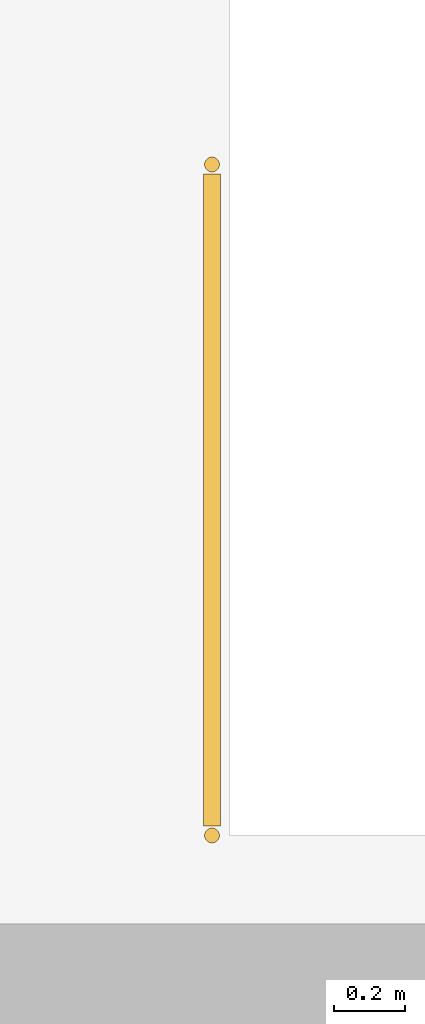
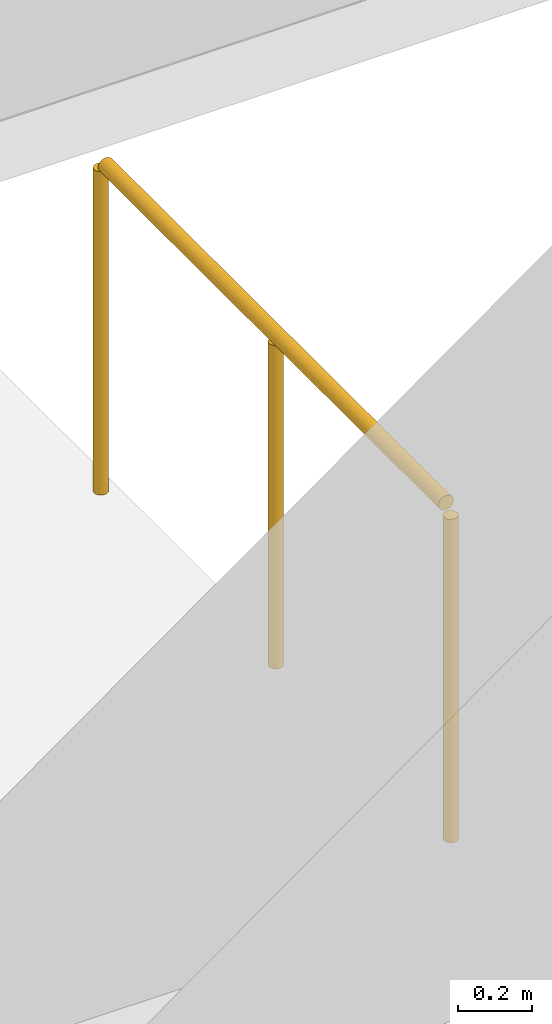
# One storey, part 13 of 13: 1 railing.
"""IFC4 building model written with IfcOpenShell, lengths in metres."""

from ifc_helpers import new_model, si_unit, direction, frame, origin, origin_2d, place, context, subcontext, project, spatial, circle, extrude, source, transform, mapped, material, layer, layer_set, type_object, element, save


model = new_model("IFC4")

# Units and contexts
model_context = context("Model", 3, precision=1e-05, world=origin(), true_north=direction((0.0, 1.0)))
body_context = subcontext(model_context, "Body", "Model", "MODEL_VIEW")
ifc_project = project(units=[si_unit("LENGTHUNIT", "METRE"), si_unit("AREAUNIT", "SQUARE_METRE"), si_unit("VOLUMEUNIT", "CUBIC_METRE"), si_unit("PLANEANGLEUNIT", "RADIAN"), si_unit("MASSUNIT", "GRAM", prefix="KILO")], contexts=[model_context])

# Site, building, storey
site_placement = place(None, origin())
site = spatial("IfcSite", under=ifc_project, at=site_placement, CompositionType="ELEMENT")
building_placement = place(site_placement, origin())
building = spatial("IfcBuilding", under=site, at=building_placement, Name="Kharzan Plaza Tower", CompositionType="ELEMENT")
storey_placement = place(building_placement, frame((0.0, 0.0, 259.199951171875)))
storey = spatial("IfcBuildingStorey", under=building, at=storey_placement, Name="L70", CompositionType="ELEMENT", Elevation=259.199951171875)

# Railing
ifc_material = material(Name="Painted Galvanized Architectural Steel", Category="steel")
ifc_layer = layer(ifc_material, 0.074951171875)
ifc_layer_set = layer_set([ifc_layer], Name="Painted Galvanized Architectural Steel")
railing_type = type_object("IfcRailingType", Name="RL-GUARD-1120", PredefinedType="BALUSTRADE", material=ifc_layer_set)
shared_shape = source(origin(), body_context, "Body", "SweptSolid", [
    extrude(circle(Radius=0.02392578125, at=origin_2d()), frame((0.0, 0.0263671875, 1.09619140625), z_axis=(0.0, 1.0, 0.0), x_axis=(-1.0, 0.0, 0.0)), (0.0, 0.0, 1.0), 1.846923828125),
    extrude(circle(Radius=0.02099609375, at=origin_2d()), origin(), (0.0, 0.0, 1.0), 1.072021484375),
    extrude(circle(Radius=0.02099609375, at=origin_2d()), frame((0.0, 0.949951171875, 0.0)), (0.0, 0.0, 1.0), 1.072021484375),
    extrude(circle(Radius=0.02099609375, at=origin_2d()), frame((0.0, 1.89990234375, 0.0)), (0.0, 0.0, 1.0), 1.072021484375),
])
railing_placement = place(storey_placement, frame((38.199951171875, 5.0, 0.0)))
element("IfcRailing", 1, at=railing_placement, inside=storey, type_object=railing_type, Name="L70 ST-3 top well guard 1", PredefinedType="BALUSTRADE", context=body_context, shape_type="MappedRepresentation", body=[
    mapped(shared_shape, transform((0.0, 0.0, 0.0), x_axis=(1.0, 0.0, 0.0), y_axis=(0.0, 1.0, 0.0), z_axis=(0.0, 0.0, 1.0))),
])

save(model, "model.ifc")
